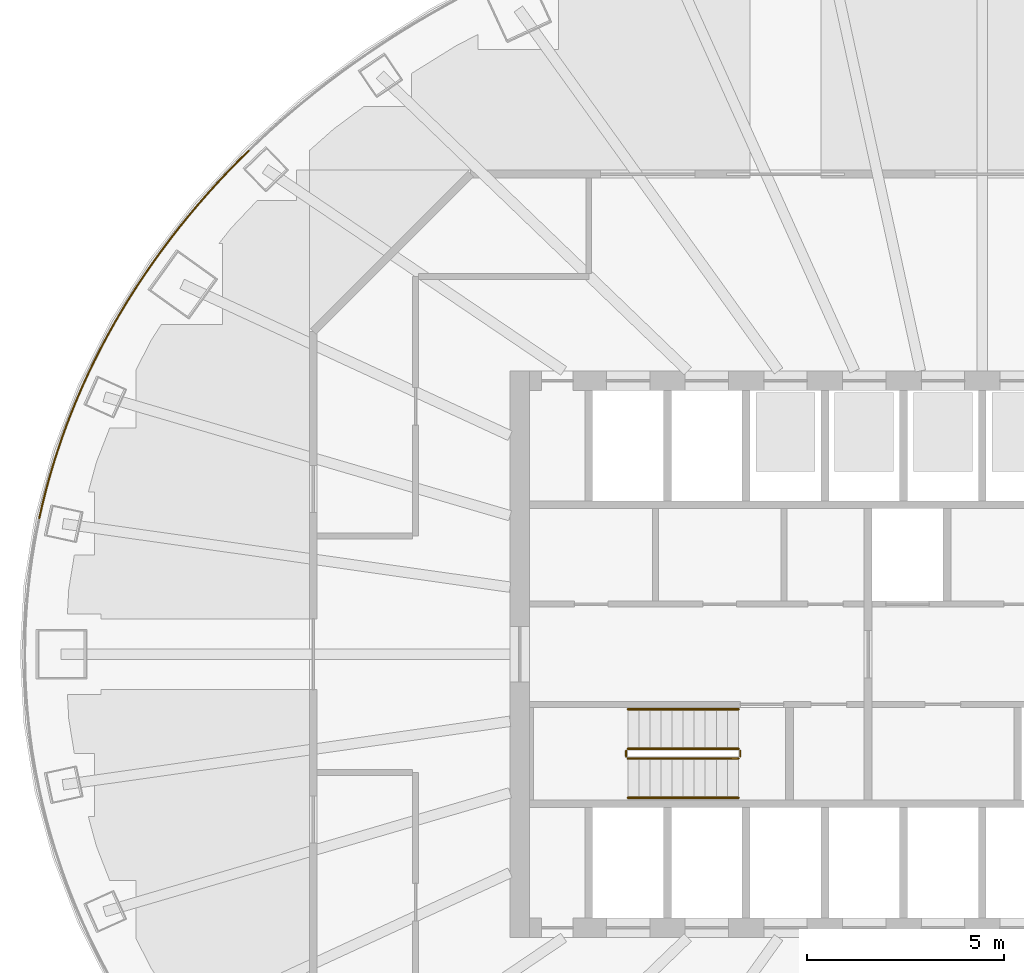
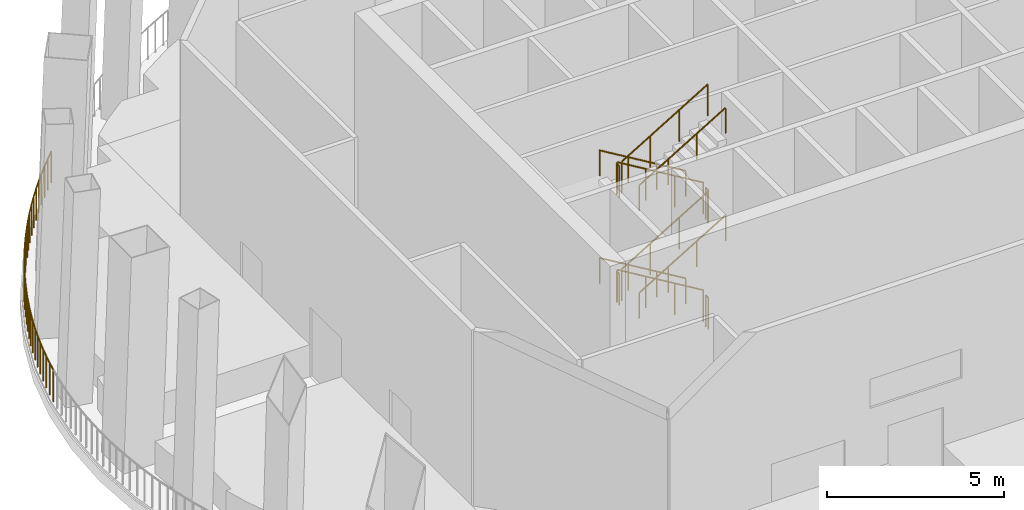
# One storey, part 10 of 15: 15 railings.
"""IFC4 building model written with IfcOpenShell, lengths in metres."""

from ifc_helpers import new_model, si_unit, direction, frame, origin, origin_2d, place, context, subcontext, project, spatial, circle, extrude, material, type_object, element, save


model = new_model("IFC4")

# Units and contexts
model_context = context("Model", 3, precision=1e-05, world=origin(), true_north=direction((0.0, 1.0)))
body_context = subcontext(model_context, "Body", "Model", "MODEL_VIEW")
ifc_project = project(units=[si_unit("LENGTHUNIT", "METRE"), si_unit("AREAUNIT", "SQUARE_METRE"), si_unit("VOLUMEUNIT", "CUBIC_METRE"), si_unit("PLANEANGLEUNIT", "RADIAN"), si_unit("MASSUNIT", "GRAM", prefix="KILO")], contexts=[model_context])

# Site, building, storey
site_placement = place(None, origin())
site = spatial("IfcSite", under=ifc_project, at=site_placement, CompositionType="ELEMENT")
building_placement = place(site_placement, origin())
building = spatial("IfcBuilding", under=site, at=building_placement, Name="Siaravel Broadcast Tower", CompositionType="ELEMENT")
storey_placement = place(building_placement, frame((0.0, 0.0, 145.199951171875)))
storey = spatial("IfcBuildingStorey", under=building, at=storey_placement, Name="L35", CompositionType="ELEMENT", Elevation=145.199951171875)

# Railings
ifc_material_1 = material(Name="Steel S355", Category="steel")
railing_type_1 = type_object("IfcRailingType", Name="Guard 1100", PredefinedType="GUARDRAIL", material=ifc_material_1)
railing_1_placement = place(storey_placement, frame((-18.639892578125, 12.797607421875, 0.080078125)))
element("IfcRailing", 1, at=railing_1_placement, inside=storey, type_object=railing_type_1, Name="L35 sky garden guard 15", PredefinedType="GUARDRAIL", context=body_context, shape_type="SweptSolid", body=[
    extrude(circle(Radius=0.02392578125, at=origin_2d()), frame((0.0, 0.0, 1.076171875), z_axis=(-0.709987017, -0.704214765, 0.0), x_axis=(0.704214765, -0.709987017, 0.0)), (0.0, 0.0, 1.0), 0.380615234375),
    extrude(circle(Radius=0.02392578125, at=origin_2d()), frame((-0.270263671875, -0.26806640625, 1.076171875), z_axis=(-0.697060011, -0.71701279, 0.0), x_axis=(0.71701279, -0.697060011, 0.0)), (0.0, 0.0, 1.0), 0.37939453125),
    extrude(circle(Radius=0.02392578125, at=origin_2d()), frame((-0.53466796875, -0.5400390625, 1.076171875), z_axis=(-0.684134508, -0.729355863, 0.0), x_axis=(0.729355863, -0.684134508, 0.0)), (0.0, 0.0, 1.0), 0.3779296875),
    extrude(circle(Radius=0.02392578125, at=origin_2d()), frame((-0.793212890625, -0.815673828125, 1.076171875), z_axis=(-0.670539669, -0.741873677, 0.0), x_axis=(0.741873677, -0.670539669, 0.0)), (0.0, 0.0, 1.0), 0.37646484375),
    extrude(circle(Radius=0.02392578125, at=origin_2d()), frame((-1.045654296875, -1.094970703125, 1.076171875), z_axis=(-0.65735304, -0.753582763, 0.0), x_axis=(0.753582763, -0.65735304, 0.0)), (0.0, 0.0, 1.0), 0.37548828125),
    extrude(circle(Radius=0.02392578125, at=origin_2d()), frame((-1.29248046875, -1.3779296875, 1.076171875), z_axis=(-0.64306959, -0.765807745, 0.0), x_axis=(0.765807745, -0.64306959, 0.0)), (0.0, 0.0, 1.0), 0.3740234375),
    extrude(circle(Radius=0.02392578125, at=origin_2d()), frame((-1.532958984375, -1.664306640625, 1.076171875), z_axis=(-0.628840132, -0.777534622, 0.0), x_axis=(0.777534622, -0.628840132, 0.0)), (0.0, 0.0, 1.0), 0.372802734375),
    extrude(circle(Radius=0.02392578125, at=origin_2d()), frame((-1.767333984375, -1.9541015625, 1.076171875), z_axis=(-0.614623017, -0.788820985, 0.0), x_axis=(0.788820985, -0.614623017, 0.0)), (0.0, 0.0, 1.0), 0.371337890625),
    extrude(circle(Radius=0.02392578125, at=origin_2d()), frame((-1.99560546875, -2.2470703125, 1.076171875), z_axis=(-0.599366818, -0.800474496, 0.0), x_axis=(0.800474496, -0.599366818, 0.0)), (0.0, 0.0, 1.0), 0.370361328125),
    extrude(circle(Radius=0.02392578125, at=origin_2d()), frame((-2.217529296875, -2.54345703125, 1.076171875), z_axis=(-0.583990715, -0.811760337, 0.0), x_axis=(0.811760337, -0.583990715, 0.0)), (0.0, 0.0, 1.0), 0.36865234375),
    extrude(circle(Radius=0.02099609375, at=origin_2d()), origin(), (0.0, 0.0, 1.0), 1.052001953125),
    extrude(circle(Radius=0.02099609375, at=origin_2d()), frame((-0.270263671875, -0.26806640625, 0.0)), (0.0, 0.0, 1.0), 1.052001953125),
    extrude(circle(Radius=0.02099609375, at=origin_2d()), frame((-0.53466796875, -0.5400390625, 0.0)), (0.0, 0.0, 1.0), 1.052001953125),
    extrude(circle(Radius=0.02099609375, at=origin_2d()), frame((-0.793212890625, -0.815673828125, 0.0)), (0.0, 0.0, 1.0), 1.052001953125),
    extrude(circle(Radius=0.02099609375, at=origin_2d()), frame((-1.045654296875, -1.094970703125, 0.0)), (0.0, 0.0, 1.0), 1.052001953125),
    extrude(circle(Radius=0.02099609375, at=origin_2d()), frame((-1.29248046875, -1.3779296875, 0.0)), (0.0, 0.0, 1.0), 1.052001953125),
    extrude(circle(Radius=0.02099609375, at=origin_2d()), frame((-1.532958984375, -1.664306640625, 0.0)), (0.0, 0.0, 1.0), 1.052001953125),
    extrude(circle(Radius=0.02099609375, at=origin_2d()), frame((-1.767333984375, -1.9541015625, 0.0)), (0.0, 0.0, 1.0), 1.052001953125),
    extrude(circle(Radius=0.02099609375, at=origin_2d()), frame((-1.99560546875, -2.2470703125, 0.0)), (0.0, 0.0, 1.0), 1.052001953125),
    extrude(circle(Radius=0.02099609375, at=origin_2d()), frame((-2.217529296875, -2.54345703125, 0.0)), (0.0, 0.0, 1.0), 1.052001953125),
    extrude(circle(Radius=0.02099609375, at=origin_2d()), frame((-2.432861328125, -2.8427734375, 0.0)), (0.0, 0.0, 1.0), 1.052001953125),
])
railing_2_placement = place(storey_placement, frame((-21.07275390625, 9.954833984375, 0.080078125)))
element("IfcRailing", 2, at=railing_2_placement, inside=storey, type_object=railing_type_1, Name="L35 sky garden guard 16", PredefinedType="GUARDRAIL", context=body_context, shape_type="SweptSolid", body=[
    extrude(circle(Radius=0.02392578125, at=origin_2d()), frame((0.0, 0.0, 1.076171875), z_axis=(-0.56886476, -0.822431082, 0.0), x_axis=(0.822431082, -0.56886476, 0.0)), (0.0, 0.0, 1.0), 0.367919921875),
    extrude(circle(Radius=0.02392578125, at=origin_2d()), frame((-0.209228515625, -0.302490234375, 1.076171875), z_axis=(-0.552854278, -0.833277953, 0.0), x_axis=(0.833277953, -0.552854278, 0.0)), (0.0, 0.0, 1.0), 0.366455078125),
    extrude(circle(Radius=0.02392578125, at=origin_2d()), frame((-0.411865234375, -0.60791015625, 1.076171875), z_axis=(-0.536832233, -0.843689014, 0.0), x_axis=(0.843689014, -0.536832233, 0.0)), (0.0, 0.0, 1.0), 0.365234375),
    extrude(circle(Radius=0.02392578125, at=origin_2d()), frame((-0.60791015625, -0.916015625, 1.076171875), z_axis=(-0.520202124, -0.854043178, 0.0), x_axis=(0.854043178, -0.520202124, 0.0)), (0.0, 0.0, 1.0), 0.3642578125),
    extrude(circle(Radius=0.02392578125, at=origin_2d()), frame((-0.79736328125, -1.22705078125, 1.076171875), z_axis=(-0.503871026, -0.863778901, 0.0), x_axis=(0.863778901, -0.503871026, 0.0)), (0.0, 0.0, 1.0), 0.36279296875),
    extrude(circle(Radius=0.02392578125, at=origin_2d()), frame((-0.980224609375, -1.54052734375, 1.076171875), z_axis=(-0.486158101, -0.873870872, 0.0), x_axis=(0.873870872, -0.486158101, 0.0)), (0.0, 0.0, 1.0), 0.362060546875),
    extrude(circle(Radius=0.02392578125, at=origin_2d()), frame((-1.15625, -1.85693359375, 1.076171875), z_axis=(-0.469534429, -0.882914164, 0.0), x_axis=(0.882914164, -0.469534429, 0.0)), (0.0, 0.0, 1.0), 0.36083984375),
    extrude(circle(Radius=0.02392578125, at=origin_2d()), frame((-1.32568359375, -2.175537109375, 1.076171875), z_axis=(-0.451820833, -0.892108701, 0.0), x_axis=(0.892108701, -0.451820833, 0.0)), (0.0, 0.0, 1.0), 0.35986328125),
    extrude(circle(Radius=0.02392578125, at=origin_2d()), frame((-1.48828125, -2.49658203125, 1.076171875), z_axis=(-0.43354957, -0.901129719, 0.0), x_axis=(0.901129719, -0.43354957, 0.0)), (0.0, 0.0, 1.0), 0.358642578125),
    extrude(circle(Radius=0.02392578125, at=origin_2d()), frame((-1.643798828125, -2.81982421875, 1.076171875), z_axis=(-0.416114394, -0.909312274, 0.0), x_axis=(0.909312274, -0.416114394, 0.0)), (0.0, 0.0, 1.0), 0.35791015625),
    extrude(circle(Radius=0.02099609375, at=origin_2d()), origin(), (0.0, 0.0, 1.0), 1.052001953125),
    extrude(circle(Radius=0.02099609375, at=origin_2d()), frame((-0.209228515625, -0.302490234375, 0.0)), (0.0, 0.0, 1.0), 1.052001953125),
    extrude(circle(Radius=0.02099609375, at=origin_2d()), frame((-0.411865234375, -0.60791015625, 0.0)), (0.0, 0.0, 1.0), 1.052001953125),
    extrude(circle(Radius=0.02099609375, at=origin_2d()), frame((-0.60791015625, -0.916015625, 0.0)), (0.0, 0.0, 1.0), 1.052001953125),
    extrude(circle(Radius=0.02099609375, at=origin_2d()), frame((-0.79736328125, -1.22705078125, 0.0)), (0.0, 0.0, 1.0), 1.052001953125),
    extrude(circle(Radius=0.02099609375, at=origin_2d()), frame((-0.980224609375, -1.54052734375, 0.0)), (0.0, 0.0, 1.0), 1.052001953125),
    extrude(circle(Radius=0.02099609375, at=origin_2d()), frame((-1.15625, -1.85693359375, 0.0)), (0.0, 0.0, 1.0), 1.052001953125),
    extrude(circle(Radius=0.02099609375, at=origin_2d()), frame((-1.32568359375, -2.175537109375, 0.0)), (0.0, 0.0, 1.0), 1.052001953125),
    extrude(circle(Radius=0.02099609375, at=origin_2d()), frame((-1.48828125, -2.49658203125, 0.0)), (0.0, 0.0, 1.0), 1.052001953125),
    extrude(circle(Radius=0.02099609375, at=origin_2d()), frame((-1.643798828125, -2.81982421875, 0.0)), (0.0, 0.0, 1.0), 1.052001953125),
    extrude(circle(Radius=0.02099609375, at=origin_2d()), frame((-1.792724609375, -3.145263671875, 0.0)), (0.0, 0.0, 1.0), 1.052001953125),
])
railing_3_placement = place(storey_placement, frame((-22.865478515625, 6.8095703125, 0.080078125)))
element("IfcRailing", 3, at=railing_3_placement, inside=storey, type_object=railing_type_1, Name="L35 sky garden guard 17", PredefinedType="GUARDRAIL", context=body_context, shape_type="SweptSolid", body=[
    extrude(circle(Radius=0.02392578125, at=origin_2d()), frame((0.0, 0.0, 1.076171875), z_axis=(-0.396724251, -0.917937835, 0.0), x_axis=(0.917937835, -0.396724251, 0.0)), (0.0, 0.0, 1.0), 0.35693359375),
    extrude(circle(Radius=0.02392578125, at=origin_2d()), frame((-0.1416015625, -0.32763671875, 1.076171875), z_axis=(-0.378472655, -0.925612472, 0.0), x_axis=(0.925612472, -0.378472655, 0.0)), (0.0, 0.0, 1.0), 0.35595703125),
    extrude(circle(Radius=0.02392578125, at=origin_2d()), frame((-0.2763671875, -0.6572265625, 1.076171875), z_axis=(-0.359624078, -0.933097274, 0.0), x_axis=(0.933097274, -0.359624078, 0.0)), (0.0, 0.0, 1.0), 0.35498046875),
    extrude(circle(Radius=0.02392578125, at=origin_2d()), frame((-0.404052734375, -0.988525390625, 1.076171875), z_axis=(-0.340304572, -0.940315265, 0.0), x_axis=(0.940315265, -0.340304572, 0.0)), (0.0, 0.0, 1.0), 0.3544921875),
    extrude(circle(Radius=0.02392578125, at=origin_2d()), frame((-0.524658203125, -1.32177734375, 1.076171875), z_axis=(-0.32119679, -0.947012472, 0.0), x_axis=(0.947012472, -0.32119679, 0.0)), (0.0, 0.0, 1.0), 0.353515625),
    extrude(circle(Radius=0.02392578125, at=origin_2d()), frame((-0.63818359375, -1.656494140625, 1.076171875), z_axis=(-0.301661126, -0.953415211, 0.0), x_axis=(0.953415211, -0.301661126, 0.0)), (0.0, 0.0, 1.0), 0.352783203125),
    extrude(circle(Radius=0.02392578125, at=origin_2d()), frame((-0.74462890625, -1.992919921875, 1.076171875), z_axis=(-0.281490592, -0.959563988, 0.0), x_axis=(0.959563988, -0.281490592, 0.0)), (0.0, 0.0, 1.0), 0.35205078125),
    extrude(circle(Radius=0.02392578125, at=origin_2d()), frame((-0.84375, -2.330810546875, 1.076171875), z_axis=(-0.261118919, -0.965306641, 0.0), x_axis=(0.965306641, -0.261118919, 0.0)), (0.0, 0.0, 1.0), 0.3515625),
    extrude(circle(Radius=0.02392578125, at=origin_2d()), frame((-0.935546875, -2.670166015625, 1.076171875), z_axis=(-0.241389684, -0.970428267, 0.0), x_axis=(0.970428267, -0.241389684, 0.0)), (0.0, 0.0, 1.0), 0.35107421875),
    extrude(circle(Radius=0.02392578125, at=origin_2d()), frame((-1.020263671875, -3.0107421875, 1.076171875), z_axis=(-0.220988304, -0.975276458, 0.0), x_axis=(0.975276458, -0.220988304, 0.0)), (0.0, 0.0, 1.0), 0.35009765625),
    extrude(circle(Radius=0.02099609375, at=origin_2d()), origin(), (0.0, 0.0, 1.0), 1.052001953125),
    extrude(circle(Radius=0.02099609375, at=origin_2d()), frame((-0.1416015625, -0.32763671875, 0.0)), (0.0, 0.0, 1.0), 1.052001953125),
    extrude(circle(Radius=0.02099609375, at=origin_2d()), frame((-0.2763671875, -0.6572265625, 0.0)), (0.0, 0.0, 1.0), 1.052001953125),
    extrude(circle(Radius=0.02099609375, at=origin_2d()), frame((-0.404052734375, -0.988525390625, 0.0)), (0.0, 0.0, 1.0), 1.052001953125),
    extrude(circle(Radius=0.02099609375, at=origin_2d()), frame((-0.524658203125, -1.32177734375, 0.0)), (0.0, 0.0, 1.0), 1.052001953125),
    extrude(circle(Radius=0.02099609375, at=origin_2d()), frame((-0.63818359375, -1.656494140625, 0.0)), (0.0, 0.0, 1.0), 1.052001953125),
    extrude(circle(Radius=0.02099609375, at=origin_2d()), frame((-0.74462890625, -1.992919921875, 0.0)), (0.0, 0.0, 1.0), 1.052001953125),
    extrude(circle(Radius=0.02099609375, at=origin_2d()), frame((-0.84375, -2.330810546875, 0.0)), (0.0, 0.0, 1.0), 1.052001953125),
    extrude(circle(Radius=0.02099609375, at=origin_2d()), frame((-0.935546875, -2.670166015625, 0.0)), (0.0, 0.0, 1.0), 1.052001953125),
    extrude(circle(Radius=0.02099609375, at=origin_2d()), frame((-1.020263671875, -3.0107421875, 0.0)), (0.0, 0.0, 1.0), 1.052001953125),
    extrude(circle(Radius=0.02099609375, at=origin_2d()), frame((-1.09765625, -3.352294921875, 0.0)), (0.0, 0.0, 1.0), 1.052001953125),
])
ifc_material_2 = material(Name="Stainless steel 316L", Category="steel")
railing_type_2 = type_object("IfcRailingType", Name="Stair guard 1100", PredefinedType="GUARDRAIL", material=ifc_material_2)
railing_4_placement = place(storey_placement, frame((-6.199951171875, -2.39990234375, 0.168212890625)))
element("IfcRailing", 4, at=railing_4_placement, inside=storey, type_object=railing_type_2, Name="L35 ST-1 stair guard 1", PredefinedType="GUARDRAIL", context=body_context, shape_type="SweptSolid", body=[
    extrude(circle(Radius=0.02392578125, at=origin_2d()), frame((0.0, 0.0, 1.076171875), z_axis=(-0.857242211, 0.0, 0.514913383), x_axis=(0.0, -1.0, 0.0)), (0.0, 0.0, 1.0), 3.266357421875),
    extrude(circle(Radius=0.02099609375, at=origin_2d()), origin(), (0.0, 0.0, 1.0), 1.052001953125),
    extrude(circle(Radius=0.02099609375, at=origin_2d()), frame((-0.933349609375, 0.0, 0.560546875)), (0.0, 0.0, 1.0), 1.052001953125),
    extrude(circle(Radius=0.02099609375, at=origin_2d()), frame((-1.86669921875, 0.0, 1.121337890625)), (0.0, 0.0, 1.0), 1.052001953125),
    extrude(circle(Radius=0.02099609375, at=origin_2d()), frame((-2.800048828125, 0.0, 1.681884765625)), (0.0, 0.0, 1.0), 1.052001953125),
])
railing_5_placement = place(storey_placement, frame((-9.050048828125, -2.449951171875, 1.85009765625)))
element("IfcRailing", 5, at=railing_5_placement, inside=storey, type_object=railing_type_2, Name="L35 ST-1 stair guard 2", PredefinedType="GUARDRAIL", context=body_context, shape_type="SweptSolid", body=[
    extrude(circle(Radius=0.02392578125, at=origin_2d()), frame((0.0, 0.0, 1.076171875), z_axis=(0.0, -1.0, 0.0), x_axis=(1.0, 0.0, 0.0)), (0.0, 0.0, 1.0), 0.150146484375),
    extrude(circle(Radius=0.02099609375, at=origin_2d()), origin(), (0.0, 0.0, 1.0), 1.052001953125),
    extrude(circle(Radius=0.02099609375, at=origin_2d()), frame((0.0, -0.150146484375, 0.0)), (0.0, 0.0, 1.0), 1.052001953125),
])
railing_6_placement = place(storey_placement, frame((-9.0, -2.64990234375, 2.018310546875)))
element("IfcRailing", 6, at=railing_6_placement, inside=storey, type_object=railing_type_2, Name="L35 ST-1 stair guard 3", PredefinedType="GUARDRAIL", context=body_context, shape_type="SweptSolid", body=[
    extrude(circle(Radius=0.02392578125, at=origin_2d()), frame((0.0, 0.0, 1.076171875), z_axis=(0.857275203, 0.0, 0.514858453), x_axis=(0.0, 1.0, 0.0)), (0.0, 0.0, 1.0), 3.26611328125),
    extrude(circle(Radius=0.02099609375, at=origin_2d()), origin(), (0.0, 0.0, 1.0), 1.052001953125),
    extrude(circle(Radius=0.02099609375, at=origin_2d()), frame((0.933349609375, 0.0, 0.560546875)), (0.0, 0.0, 1.0), 1.052001953125),
    extrude(circle(Radius=0.02099609375, at=origin_2d()), frame((1.86669921875, 0.0, 1.12109375)), (0.0, 0.0, 1.0), 1.052001953125),
    extrude(circle(Radius=0.02099609375, at=origin_2d()), frame((2.800048828125, 0.0, 1.681640625)), (0.0, 0.0, 1.0), 1.052001953125),
])
railing_7_placement = place(storey_placement, frame((-6.14990234375, -2.449951171875, 3.699951171875)))
element("IfcRailing", 7, at=railing_7_placement, inside=storey, type_object=railing_type_2, Name="L35 ST-1 stair guard 4", PredefinedType="GUARDRAIL", context=body_context, shape_type="SweptSolid", body=[
    extrude(circle(Radius=0.02392578125, at=origin_2d()), frame((0.0, 0.0, 1.076171875), z_axis=(0.0, -1.0, 0.0), x_axis=(1.0, 0.0, 0.0)), (0.0, 0.0, 1.0), 0.150146484375),
    extrude(circle(Radius=0.02099609375, at=origin_2d()), origin(), (0.0, 0.0, 1.0), 1.052001953125),
    extrude(circle(Radius=0.02099609375, at=origin_2d()), frame((0.0, -0.150146484375, 0.0)), (0.0, 0.0, 1.0), 1.052001953125),
])
railing_8_placement = place(storey_placement, frame((-6.199951171875, -2.39990234375, 3.8681640625)))
element("IfcRailing", 8, at=railing_8_placement, inside=storey, type_object=railing_type_2, Name="L35 ST-1 stair guard 5", PredefinedType="GUARDRAIL", context=body_context, shape_type="SweptSolid", body=[
    extrude(circle(Radius=0.02392578125, at=origin_2d()), frame((0.0, 0.0, 1.076171875), z_axis=(-0.857242211, 0.0, 0.514913383), x_axis=(0.0, -1.0, 0.0)), (0.0, 0.0, 1.0), 3.266357421875),
    extrude(circle(Radius=0.02099609375, at=origin_2d()), origin(), (0.0, 0.0, 1.0), 1.052001953125),
    extrude(circle(Radius=0.02099609375, at=origin_2d()), frame((-0.933349609375, 0.0, 0.560546875)), (0.0, 0.0, 1.0), 1.052001953125),
    extrude(circle(Radius=0.02099609375, at=origin_2d()), frame((-1.86669921875, 0.0, 1.121337890625)), (0.0, 0.0, 1.0), 1.052001953125),
    extrude(circle(Radius=0.02099609375, at=origin_2d()), frame((-2.800048828125, 0.0, 1.681884765625)), (0.0, 0.0, 1.0), 1.052001953125),
])
railing_9_placement = place(storey_placement, frame((-9.050048828125, -2.449951171875, 5.550048828125)))
element("IfcRailing", 9, at=railing_9_placement, inside=storey, type_object=railing_type_2, Name="L35 ST-1 stair guard 6", PredefinedType="GUARDRAIL", context=body_context, shape_type="SweptSolid", body=[
    extrude(circle(Radius=0.02392578125, at=origin_2d()), frame((0.0, 0.0, 1.076171875), z_axis=(0.0, -1.0, 0.0), x_axis=(1.0, 0.0, 0.0)), (0.0, 0.0, 1.0), 0.150146484375),
    extrude(circle(Radius=0.02099609375, at=origin_2d()), origin(), (0.0, 0.0, 1.0), 1.052001953125),
    extrude(circle(Radius=0.02099609375, at=origin_2d()), frame((0.0, -0.150146484375, 0.0)), (0.0, 0.0, 1.0), 1.052001953125),
])
railing_10_placement = place(storey_placement, frame((-9.0, -2.64990234375, 5.71826171875)))
element("IfcRailing", 10, at=railing_10_placement, inside=storey, type_object=railing_type_2, Name="L35 ST-1 stair guard 7", PredefinedType="GUARDRAIL", context=body_context, shape_type="SweptSolid", body=[
    extrude(circle(Radius=0.02392578125, at=origin_2d()), frame((0.0, 0.0, 1.076171875), z_axis=(0.857242211, 0.0, 0.514913383), x_axis=(0.0, 1.0, 0.0)), (0.0, 0.0, 1.0), 3.266357421875),
    extrude(circle(Radius=0.02099609375, at=origin_2d()), origin(), (0.0, 0.0, 1.0), 1.052001953125),
    extrude(circle(Radius=0.02099609375, at=origin_2d()), frame((0.933349609375, 0.0, 0.560546875)), (0.0, 0.0, 1.0), 1.052001953125),
    extrude(circle(Radius=0.02099609375, at=origin_2d()), frame((1.86669921875, 0.0, 1.121337890625)), (0.0, 0.0, 1.0), 1.052001953125),
    extrude(circle(Radius=0.02099609375, at=origin_2d()), frame((2.800048828125, 0.0, 1.681884765625)), (0.0, 0.0, 1.0), 1.052001953125),
])
railing_11_placement = place(storey_placement, frame((-6.14990234375, -2.449951171875, 0.0)))
element("IfcRailing", 11, at=railing_11_placement, inside=storey, type_object=railing_type_2, Name="L35 ST-1 stair guard 8", PredefinedType="GUARDRAIL", context=body_context, shape_type="SweptSolid", body=[
    extrude(circle(Radius=0.02392578125, at=origin_2d()), frame((0.0, 0.0, 1.076171875), z_axis=(0.0, -1.0, 0.0), x_axis=(1.0, 0.0, 0.0)), (0.0, 0.0, 1.0), 0.150146484375),
    extrude(circle(Radius=0.02099609375, at=origin_2d()), origin(), (0.0, 0.0, 1.0), 1.052001953125),
    extrude(circle(Radius=0.02099609375, at=origin_2d()), frame((0.0, -0.150146484375, 0.0)), (0.0, 0.0, 1.0), 1.052001953125),
])
railing_type_3 = type_object("IfcRailingType", Name="Stair handrail 900", PredefinedType="HANDRAIL", material=ifc_material_2)
railing_12_placement = place(storey_placement, frame((-6.199951171875, -1.39990234375, 0.168212890625)))
element("IfcRailing", 12, at=railing_12_placement, inside=storey, type_object=railing_type_3, Name="L35 ST-1 stair handrail 1", PredefinedType="HANDRAIL", context=body_context, shape_type="SweptSolid", body=[
    extrude(circle(Radius=0.02392578125, at=origin_2d()), frame((0.0, 0.0, 0.8759765625), z_axis=(-0.857242211, 0.0, 0.514913383), x_axis=(0.0, -1.0, 0.0)), (0.0, 0.0, 1.0), 3.266357421875),
    extrude(circle(Radius=0.02099609375, at=origin_2d()), origin(), (0.0, 0.0, 1.0), 0.851806640625),
    extrude(circle(Radius=0.02099609375, at=origin_2d()), frame((-0.933349609375, 0.0, 0.560546875)), (0.0, 0.0, 1.0), 0.851806640625),
    extrude(circle(Radius=0.02099609375, at=origin_2d()), frame((-1.86669921875, 0.0, 1.121337890625)), (0.0, 0.0, 1.0), 0.851806640625),
    extrude(circle(Radius=0.02099609375, at=origin_2d()), frame((-2.800048828125, 0.0, 1.681884765625)), (0.0, 0.0, 1.0), 0.851806640625),
])
railing_13_placement = place(storey_placement, frame((-9.0, -3.64990234375, 2.018310546875)))
element("IfcRailing", 13, at=railing_13_placement, inside=storey, type_object=railing_type_3, Name="L35 ST-1 stair handrail 2", PredefinedType="HANDRAIL", context=body_context, shape_type="SweptSolid", body=[
    extrude(circle(Radius=0.02392578125, at=origin_2d()), frame((0.0, 0.0, 0.8759765625), z_axis=(0.857275203, 0.0, 0.514858453), x_axis=(0.0, 1.0, 0.0)), (0.0, 0.0, 1.0), 3.26611328125),
    extrude(circle(Radius=0.02099609375, at=origin_2d()), origin(), (0.0, 0.0, 1.0), 0.851806640625),
    extrude(circle(Radius=0.02099609375, at=origin_2d()), frame((0.933349609375, 0.0, 0.560546875)), (0.0, 0.0, 1.0), 0.851806640625),
    extrude(circle(Radius=0.02099609375, at=origin_2d()), frame((1.86669921875, 0.0, 1.12109375)), (0.0, 0.0, 1.0), 0.851806640625),
    extrude(circle(Radius=0.02099609375, at=origin_2d()), frame((2.800048828125, 0.0, 1.681640625)), (0.0, 0.0, 1.0), 0.851806640625),
])
railing_14_placement = place(storey_placement, frame((-6.199951171875, -1.39990234375, 3.8681640625)))
element("IfcRailing", 14, at=railing_14_placement, inside=storey, type_object=railing_type_3, Name="L35 ST-1 stair handrail 3", PredefinedType="HANDRAIL", context=body_context, shape_type="SweptSolid", body=[
    extrude(circle(Radius=0.02392578125, at=origin_2d()), frame((0.0, 0.0, 0.8759765625), z_axis=(-0.857242211, 0.0, 0.514913383), x_axis=(0.0, -1.0, 0.0)), (0.0, 0.0, 1.0), 3.266357421875),
    extrude(circle(Radius=0.02099609375, at=origin_2d()), origin(), (0.0, 0.0, 1.0), 0.851806640625),
    extrude(circle(Radius=0.02099609375, at=origin_2d()), frame((-0.933349609375, 0.0, 0.560546875)), (0.0, 0.0, 1.0), 0.851806640625),
    extrude(circle(Radius=0.02099609375, at=origin_2d()), frame((-1.86669921875, 0.0, 1.121337890625)), (0.0, 0.0, 1.0), 0.851806640625),
    extrude(circle(Radius=0.02099609375, at=origin_2d()), frame((-2.800048828125, 0.0, 1.681884765625)), (0.0, 0.0, 1.0), 0.851806640625),
])
railing_15_placement = place(storey_placement, frame((-9.0, -3.64990234375, 5.71826171875)))
element("IfcRailing", 15, at=railing_15_placement, inside=storey, type_object=railing_type_3, Name="L35 ST-1 stair handrail 4", PredefinedType="HANDRAIL", context=body_context, shape_type="SweptSolid", body=[
    extrude(circle(Radius=0.02392578125, at=origin_2d()), frame((0.0, 0.0, 0.8759765625), z_axis=(0.857242211, 0.0, 0.514913383), x_axis=(0.0, 1.0, 0.0)), (0.0, 0.0, 1.0), 3.266357421875),
    extrude(circle(Radius=0.02099609375, at=origin_2d()), origin(), (0.0, 0.0, 1.0), 0.851806640625),
    extrude(circle(Radius=0.02099609375, at=origin_2d()), frame((0.933349609375, 0.0, 0.560546875)), (0.0, 0.0, 1.0), 0.851806640625),
    extrude(circle(Radius=0.02099609375, at=origin_2d()), frame((1.86669921875, 0.0, 1.121337890625)), (0.0, 0.0, 1.0), 0.851806640625),
    extrude(circle(Radius=0.02099609375, at=origin_2d()), frame((2.800048828125, 0.0, 1.681884765625)), (0.0, 0.0, 1.0), 0.851806640625),
])

save(model, "model.ifc")
